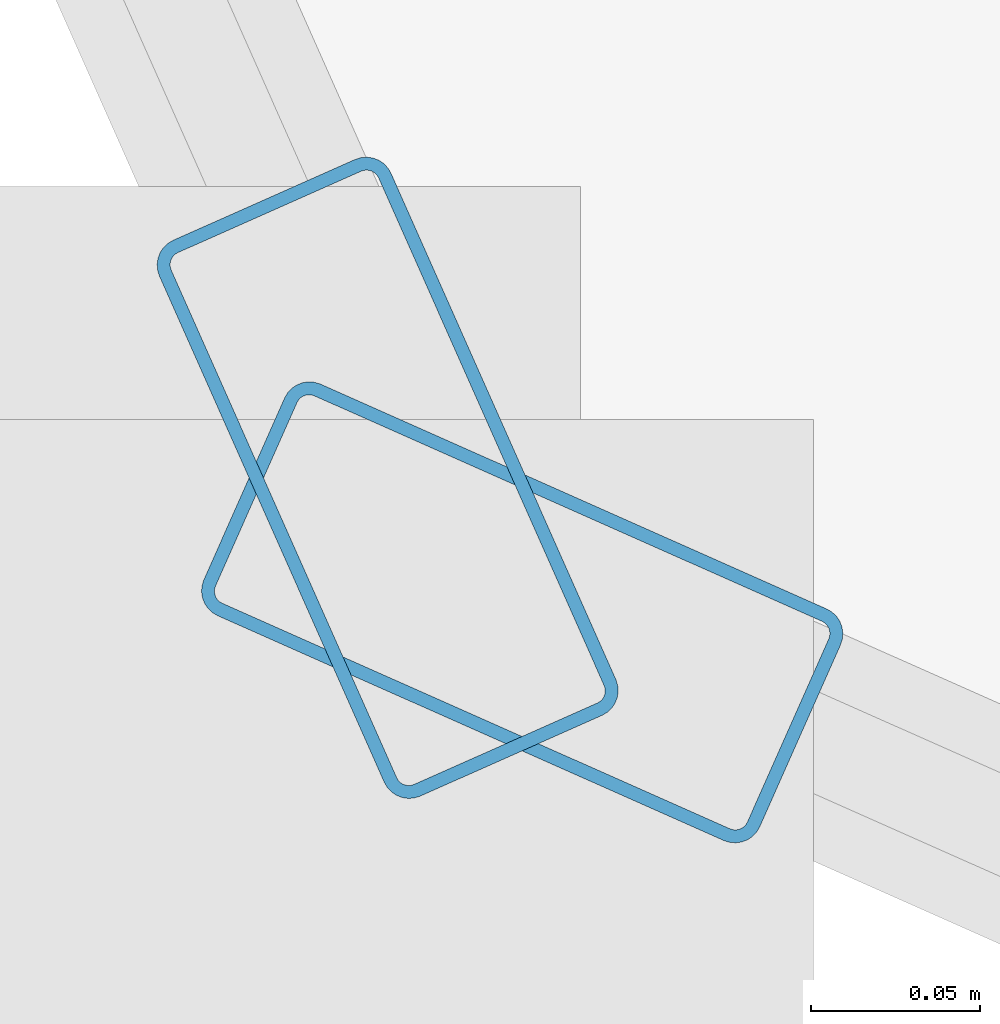
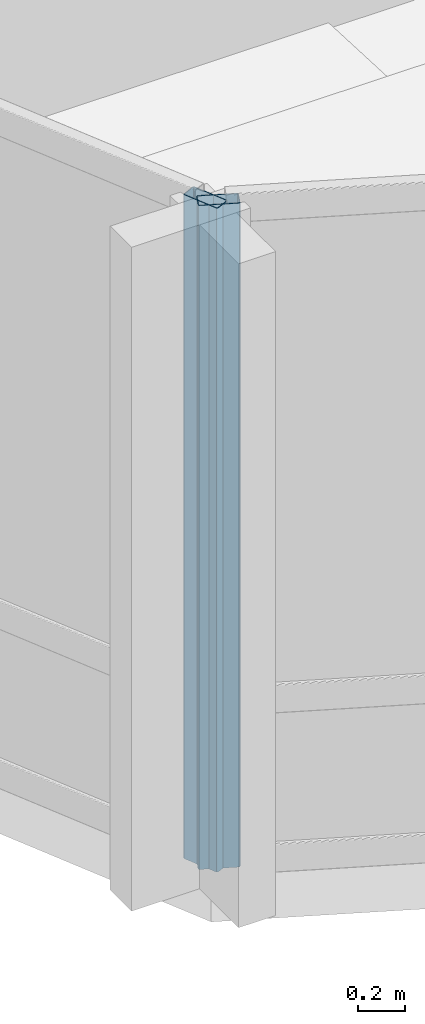
# One storey, part 2 of 34: 2 members, 2 elements without a shape of their own.
"""IFC4 building model written with IfcOpenShell, lengths in metres."""

from ifc_helpers import new_model, si_unit, direction, frame, origin, origin_2d, place, context, subcontext, project, spatial, hollow_rectangle, extrude, material, layer, layer_set, material_profile, profile_set, type_object, element, aggregate, save


model = new_model("IFC4")

# Units and contexts
model_context = context("Model", 3, precision=1e-05, world=origin(), true_north=direction((0.0, 1.0)))
body_context = subcontext(model_context, "Body", "Model", "MODEL_VIEW")
ifc_project = project(units=[si_unit("LENGTHUNIT", "METRE"), si_unit("AREAUNIT", "SQUARE_METRE"), si_unit("VOLUMEUNIT", "CUBIC_METRE"), si_unit("PLANEANGLEUNIT", "RADIAN"), si_unit("MASSUNIT", "GRAM", prefix="KILO")], contexts=[model_context])

# Site, building, storey
site_placement = place(None, origin())
site = spatial("IfcSite", under=ifc_project, at=site_placement, CompositionType="ELEMENT")
building_placement = place(site_placement, origin())
building = spatial("IfcBuilding", under=site, at=building_placement, Name="Solvaryn Broadcast Tower", CompositionType="ELEMENT")
storey_placement = place(building_placement, frame((0.0, 0.0, 61.89990234375)))
storey = spatial("IfcBuildingStorey", under=building, at=storey_placement, Name="L14", CompositionType="ELEMENT", Elevation=61.89990234375)

# Curtain wall, member
ifc_material_1 = material(Name="Aluminium and Terracotta Unitised Curtain Wall", Category="masonry")
ifc_layer = layer(ifc_material_1, 0.199951171875)
ifc_layer_set = layer_set([ifc_layer], Name="CW-SYS2-LOWMID")
curtain_wall_type = type_object("IfcCurtainWallType", Name="CW-SYS2-LOWMID", PredefinedType="NOTDEFINED", material=ifc_layer_set)
curtain_wall_1_placement = place(storey_placement, origin())
curtain_wall_1 = element("IfcCurtainWall", 1, at=curtain_wall_1_placement, inside=storey, type_object=curtain_wall_type, Name="L14 Curtain Wall DR2", PredefinedType="NOTDEFINED")
ifc_material_2 = material(Name="Anodised Aluminium 6063-T6", Category="aluminium")
ifc_material_profile = material_profile(ifc_material_2, hollow_rectangle(XDim=0.074951171875, YDim=0.179931640625, WallThickness=0.00390625, InnerFilletRadius=0.00390625, OuterFilletRadius=0.008056640625, at=origin_2d()))
ifc_profile_set = profile_set([ifc_material_profile], Name="Anodised Aluminium 6063-T6")
member_type = type_object("IfcMemberType", Name="CW-MUL-180", PredefinedType="MULLION", material=ifc_profile_set)
member_1_placement = place(storey_placement, frame((7.834716796875, 7.87451171875, 0.0), z_axis=(0.0, 0.0, 1.0), x_axis=(0.913918257271, 0.405898286554, 0.0)))
member_1 = element("IfcMember", 2, at=member_1_placement, type_object=member_type, Name="CWS2 mullion 2", PredefinedType="MULLION", context=body_context, shape_type="SweptSolid", body=[
    extrude(hollow_rectangle(XDim=0.074951171875, YDim=0.179931640625, WallThickness=0.00390625, InnerFilletRadius=0.00390625, OuterFilletRadius=0.008056640625, at=origin_2d()), origin(), (0.0, 0.0, 1.0), 3.420166015625),
])
aggregate(curtain_wall_1, [member_1])

curtain_wall_2_placement = place(storey_placement, origin())
curtain_wall_2 = element("IfcCurtainWall", 3, at=curtain_wall_2_placement, inside=storey, type_object=curtain_wall_type, Name="L14 Curtain Wall DR3", PredefinedType="NOTDEFINED")
member_2_placement = place(storey_placement, frame((7.87451171875, 7.834716796875, 0.0), z_axis=(0.0, 0.0, 1.0), x_axis=(0.405898286554, 0.913918257271, 0.0)))
member_2 = element("IfcMember", 4, at=member_2_placement, type_object=member_type, Name="CWS2 mullion 1", PredefinedType="MULLION", context=body_context, shape_type="SweptSolid", body=[
    extrude(hollow_rectangle(XDim=0.074951171875, YDim=0.179931640625, WallThickness=0.00390625, InnerFilletRadius=0.00390625, OuterFilletRadius=0.008056640625, at=origin_2d()), origin(), (0.0, 0.0, 1.0), 3.420166015625),
])
aggregate(curtain_wall_2, [member_2])

save(model, "model.ifc")
